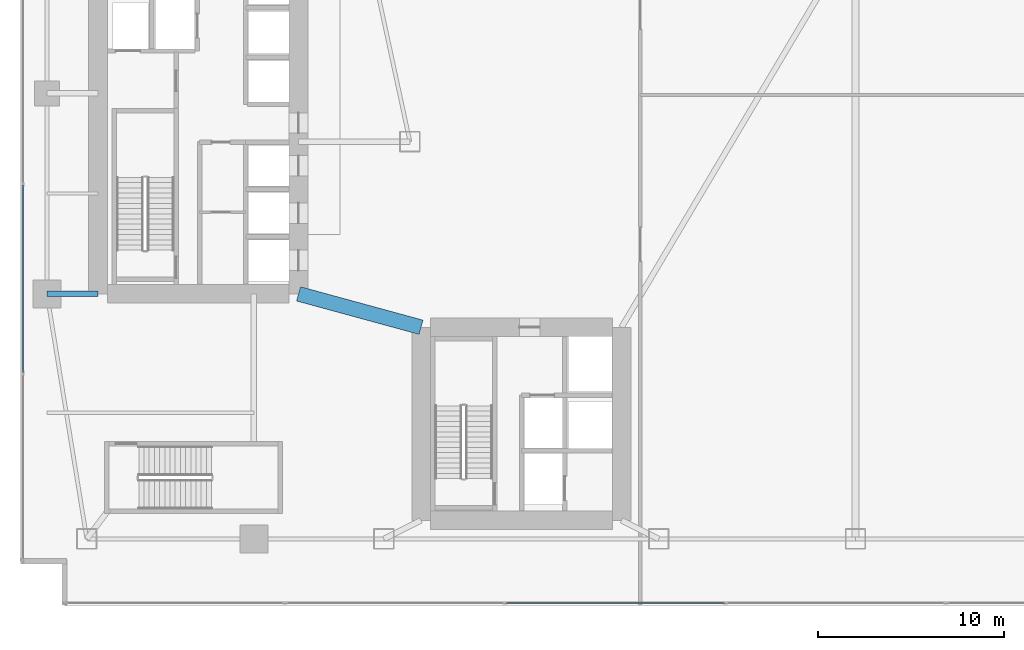
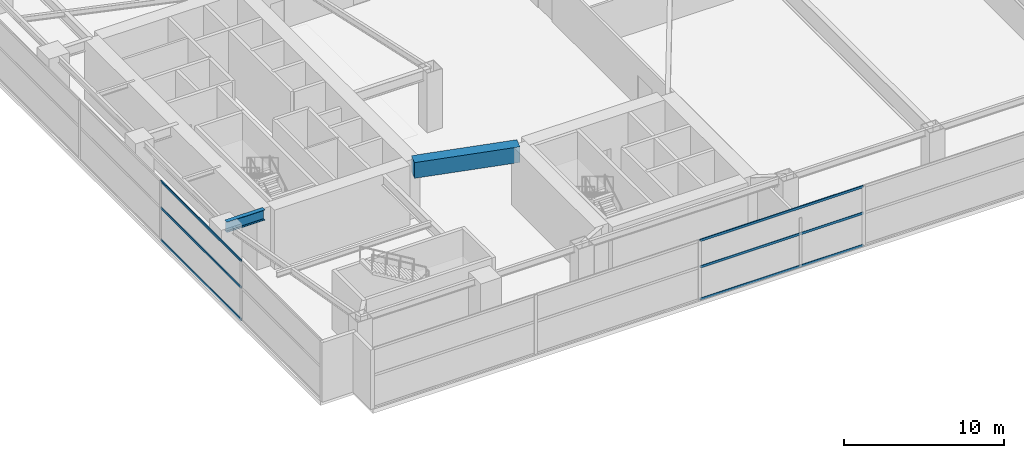
# One storey, part 8 of 30: 6 members, 2 beams, 2 elements without a shape of their own.
"""IFC4 building model written with IfcOpenShell, lengths in metres."""

from ifc_helpers import new_model, si_unit, direction, frame, origin, origin_2d, place, context, subcontext, project, spatial, rectangle, hollow_rectangle, i_section, extrude, material, layer, layer_set, material_profile, profile_set, type_object, element, aggregate, save


model = new_model("IFC4")

# Units and contexts
model_context = context("Model", 3, precision=1e-05, world=origin(), true_north=direction((0.0, 1.0)))
body_context = subcontext(model_context, "Body", "Model", "MODEL_VIEW")
ifc_project = project(units=[si_unit("LENGTHUNIT", "METRE"), si_unit("AREAUNIT", "SQUARE_METRE"), si_unit("VOLUMEUNIT", "CUBIC_METRE"), si_unit("PLANEANGLEUNIT", "RADIAN"), si_unit("MASSUNIT", "GRAM", prefix="KILO")], contexts=[model_context])

# Site, building, storey
site_placement = place(None, origin())
site = spatial("IfcSite", under=ifc_project, at=site_placement, CompositionType="ELEMENT")
building_placement = place(site_placement, origin())
building = spatial("IfcBuilding", under=site, at=building_placement, Name="Calvorn Quay Hotel", CompositionType="ELEMENT")
storey_placement = place(building_placement, frame((0.0, 0.0, 17.0)))
storey = spatial("IfcBuildingStorey", under=building, at=storey_placement, Name="L03", CompositionType="ELEMENT", Elevation=17.0)

# Beams
ifc_material_1 = material(Name="Steel Q390GJC", Category="steel")
ifc_material_profile_1 = material_profile(ifc_material_1, i_section(OverallWidth=0.300048828125, OverallDepth=0.800048828125, WebThickness=0.013916015625, FlangeThickness=0.02587890625, FilletRadius=0.02392578125, at=origin_2d()), Name="HN800x300x14x26")
ifc_profile_set_1 = profile_set([ifc_material_profile_1], Name="Steel Q390GJC")
beam_type_1 = type_object("IfcBeamType", Name="BM-GIRD-POD", PredefinedType="BEAM", material=ifc_profile_set_1)
beam_1_placement = place(storey_placement, frame((1.449951171875, 16.800048828125, 4.14990234375), z_axis=(1.0, 0.0, 0.0), x_axis=(0.0, 1.0, 0.0)))
element("IfcBeam", 1, at=beam_1_placement, inside=storey, type_object=beam_type_1, Name="Beam BG-L03-W1", PredefinedType="BEAM", context=body_context, shape_type="SweptSolid", body=[
    extrude(i_section(OverallWidth=0.300048828125, OverallDepth=0.800048828125, WebThickness=0.013916015625, FlangeThickness=0.02587890625, FilletRadius=0.02392578125, at=origin_2d()), origin(), (0.0, 0.0, 1.0), 2.75),
])
ifc_material_2 = material(Name="Concrete C60", Category="concrete")
ifc_material_profile_2 = material_profile(ifc_material_2, rectangle(XDim=0.800048828125, YDim=1.199951171875, at=origin_2d()), Name="RCB800x1200")
ifc_profile_set_2 = profile_set([ifc_material_profile_2], Name="Concrete C60")
beam_type_2 = type_object("IfcBeamType", Name="BM-RC-LINK-800x1200", PredefinedType="BEAM", material=ifc_profile_set_2)
beam_2_placement = place(storey_placement, frame((15.0, 16.800048828125, 3.949951171875), z_axis=(0.964762997686, -0.263120425462, 0.0), x_axis=(0.263120425462, 0.964762997686, 0.0)))
element("IfcBeam", 2, at=beam_2_placement, inside=storey, type_object=beam_type_2, Name="Beam BCL-L03-01", PredefinedType="BEAM", context=body_context, shape_type="SweptSolid", body=[
    extrude(rectangle(XDim=0.800048828125, YDim=1.199951171875, at=origin_2d()), origin(), (0.0, 0.0, 1.0), 6.841064453125),
])

# Curtain wall, members
ifc_material_3 = material(Name="Pale Anodised Aluminium and Low-E Glass", Category="aluminium")
ifc_layer = layer(ifc_material_3, 0.219970703125)
ifc_layer_set = layer_set([ifc_layer], Name="CW-SYS-POD")
curtain_wall_type = type_object("IfcCurtainWallType", Name="CW-SYS-POD", PredefinedType="NOTDEFINED", material=ifc_layer_set)
curtain_wall_1_placement = place(storey_placement, origin())
curtain_wall_1 = element("IfcCurtainWall", 3, at=curtain_wall_1_placement, inside=storey, type_object=curtain_wall_type, Name="Podium Curtain Wall L03-S1", PredefinedType="NOTDEFINED")
ifc_material_4 = material(Name="Pale Anodised Aluminium 6063-T6", Category="aluminium")
ifc_material_profile_3 = material_profile(ifc_material_4, hollow_rectangle(XDim=0.070068359375, YDim=0.179931640625, WallThickness=0.00390625, at=origin_2d()), Name="ALU-T180x70x4")
ifc_profile_set_3 = profile_set([ifc_material_profile_3], Name="Pale Anodised Aluminium 6063-T6")
member_type = type_object("IfcMemberType", Name="CW-SYS-POD-TRN", PredefinedType="USERDEFINED", material=ifc_profile_set_3)
member_1_placement = place(storey_placement, frame((26.163330078125, 0.14990234375, 0.030029296875), z_axis=(1.0, 0.0, 0.0), x_axis=(0.0, 1.0, 0.0)))
member_1 = element("IfcMember", 4, at=member_1_placement, type_object=member_type, Name="CW-L03-S1 transom 3.1", ObjectType="TRANSOM", PredefinedType="USERDEFINED", context=body_context, shape_type="SweptSolid", body=[
    extrude(hollow_rectangle(XDim=0.070068359375, YDim=0.179931640625, WallThickness=0.00390625, at=origin_2d()), origin(), (0.0, 0.0, 1.0), 11.806640625),
])
member_2_placement = place(storey_placement, frame((26.163330078125, 0.14990234375, 2.5), z_axis=(1.0, 0.0, 0.0), x_axis=(0.0, 1.0, 0.0)))
member_2 = element("IfcMember", 5, at=member_2_placement, type_object=member_type, Name="CW-L03-S1 transom 3.2", ObjectType="TRANSOM", PredefinedType="USERDEFINED", context=body_context, shape_type="SweptSolid", body=[
    extrude(hollow_rectangle(XDim=0.070068359375, YDim=0.179931640625, WallThickness=0.00390625, at=origin_2d()), origin(), (0.0, 0.0, 1.0), 11.806640625),
])
member_3_placement = place(storey_placement, frame((26.163330078125, 0.14990234375, 4.52001953125), z_axis=(1.0, 0.0, 0.0), x_axis=(0.0, 1.0, 0.0)))
member_3 = element("IfcMember", 6, at=member_3_placement, type_object=member_type, Name="CW-L03-S1 transom 3.3", ObjectType="TRANSOM", PredefinedType="USERDEFINED", context=body_context, shape_type="SweptSolid", body=[
    extrude(hollow_rectangle(XDim=0.070068359375, YDim=0.179931640625, WallThickness=0.00390625, at=origin_2d()), origin(), (0.0, 0.0, 1.0), 11.806640625),
])
aggregate(curtain_wall_1, [member_1, member_2, member_3])

curtain_wall_2_placement = place(storey_placement, origin())
curtain_wall_2 = element("IfcCurtainWall", 7, at=curtain_wall_2_placement, inside=storey, type_object=curtain_wall_type, Name="Podium Curtain Wall L03-W1", PredefinedType="NOTDEFINED")
member_4_placement = place(storey_placement, frame((0.14990234375, 12.570068359375, 0.030029296875), z_axis=(0.0, 1.0, 0.0), x_axis=(-1.0, 0.0, 0.0)))
member_4 = element("IfcMember", 8, at=member_4_placement, type_object=member_type, Name="CW-L03-W1 transom 2.1", ObjectType="TRANSOM", PredefinedType="USERDEFINED", context=body_context, shape_type="SweptSolid", body=[
    extrude(hollow_rectangle(XDim=0.070068359375, YDim=0.179931640625, WallThickness=0.00390625, at=origin_2d()), origin(), (0.0, 0.0, 1.0), 10.079833984375),
])
member_5_placement = place(storey_placement, frame((0.14990234375, 12.570068359375, 2.5), z_axis=(0.0, 1.0, 0.0), x_axis=(-1.0, 0.0, 0.0)))
member_5 = element("IfcMember", 9, at=member_5_placement, type_object=member_type, Name="CW-L03-W1 transom 2.2", ObjectType="TRANSOM", PredefinedType="USERDEFINED", context=body_context, shape_type="SweptSolid", body=[
    extrude(hollow_rectangle(XDim=0.070068359375, YDim=0.179931640625, WallThickness=0.00390625, at=origin_2d()), origin(), (0.0, 0.0, 1.0), 10.079833984375),
])
member_6_placement = place(storey_placement, frame((0.14990234375, 12.570068359375, 4.52001953125), z_axis=(0.0, 1.0, 0.0), x_axis=(-1.0, 0.0, 0.0)))
member_6 = element("IfcMember", 10, at=member_6_placement, type_object=member_type, Name="CW-L03-W1 transom 2.3", ObjectType="TRANSOM", PredefinedType="USERDEFINED", context=body_context, shape_type="SweptSolid", body=[
    extrude(hollow_rectangle(XDim=0.070068359375, YDim=0.179931640625, WallThickness=0.00390625, at=origin_2d()), origin(), (0.0, 0.0, 1.0), 10.079833984375),
])
aggregate(curtain_wall_2, [member_4, member_5, member_6])

save(model, "model.ifc")
